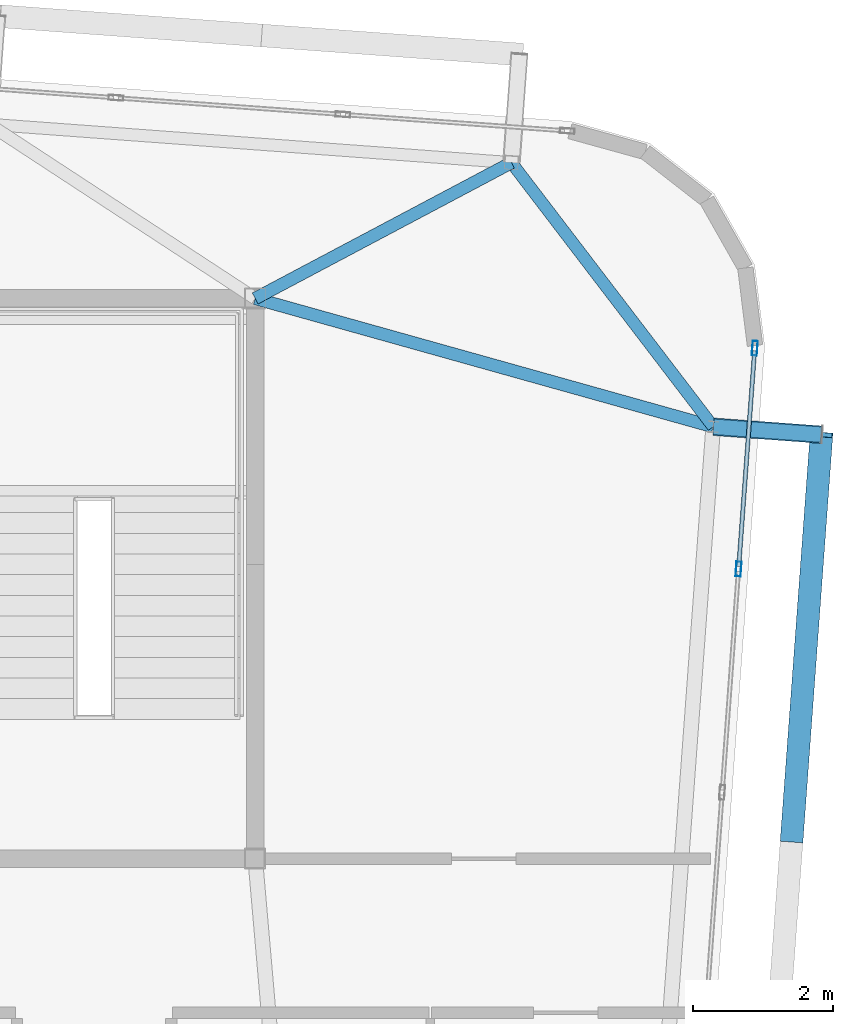
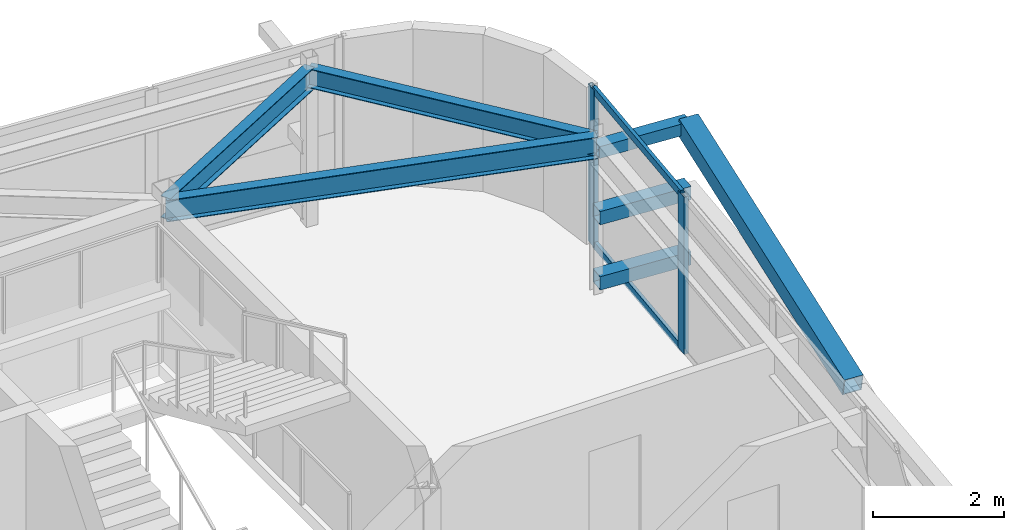
# One storey, part 25 of 42: 8 members, 3 beams, 1 element without a shape of its own.
"""IFC4 building model written with IfcOpenShell, lengths in metres."""

from ifc_helpers import new_model, si_unit, direction, frame, origin, origin_2d, place, context, subcontext, project, spatial, hollow_rectangle, i_section, extrude, source, transform, mapped, material, layer, layer_set, material_profile, profile_set, type_object, element, aggregate, save


model = new_model("IFC4")

# Units and contexts
model_context = context("Model", 3, precision=1e-05, world=origin(), true_north=direction((0.0, 1.0)))
body_context = subcontext(model_context, "Body", "Model", "MODEL_VIEW")
ifc_project = project(units=[si_unit("LENGTHUNIT", "METRE"), si_unit("AREAUNIT", "SQUARE_METRE"), si_unit("VOLUMEUNIT", "CUBIC_METRE"), si_unit("PLANEANGLEUNIT", "RADIAN"), si_unit("MASSUNIT", "GRAM", prefix="KILO")], contexts=[model_context])

# Site, building, storey
site_placement = place(None, origin())
site = spatial("IfcSite", under=ifc_project, at=site_placement, CompositionType="ELEMENT")
building_placement = place(site_placement, origin())
building = spatial("IfcBuilding", under=site, at=building_placement, Name="Taldren Reach Tower", CompositionType="ELEMENT")
storey_placement = place(building_placement, frame((0.0, 0.0, 214.550048828125)))
storey = spatial("IfcBuildingStorey", under=building, at=storey_placement, Name="L65", CompositionType="ELEMENT", Elevation=214.550048828125)

# Beams
ifc_material_1 = material(Name="Steel Gr 350 (350PLUS)", Category="steel")
ifc_material_profile_1 = material_profile(ifc_material_1, i_section(OverallWidth=0.172119140625, OverallDepth=0.35888671875, WebThickness=0.008056640625, FlangeThickness=0.012939453125, at=origin_2d()), Name="360UB56.7")
ifc_profile_set_1 = profile_set([ifc_material_profile_1], Name="Steel Gr 350 (350PLUS)")
beam_type_1 = type_object("IfcBeamType", Name="SP-UB360", PredefinedType="SPANDREL", material=ifc_profile_set_1)
shared_shape_1 = source(origin(), body_context, "Body", "SweptSolid", [
    extrude(i_section(OverallWidth=0.172119140625, OverallDepth=0.35888671875, WebThickness=0.008056640625, FlangeThickness=0.012939453125, at=origin_2d()), origin(), (0.0, 0.0, 1.0), 4.745849609375),
])
beam_1_placement = place(storey_placement, frame((57.540771484375, 30.168701171875, 2.75048828125), z_axis=(-0.607136906115, 0.79459724215, 0.0), x_axis=(-0.79459724215, -0.607136906115, 0.0)))
element("IfcBeam", 1, at=beam_1_placement, inside=storey, type_object=beam_type_1, Name="Perimeter spandrel B5 E3-N6 L65", PredefinedType="SPANDREL", context=body_context, shape_type="MappedRepresentation", body=[
    mapped(shared_shape_1, transform((0.0, 0.0, 0.0), scale=1.0)),
])
ifc_material_profile_2 = material_profile(ifc_material_1, i_section(OverallWidth=0.177978515625, OverallDepth=0.406005859375, WebThickness=0.0078125, FlangeThickness=0.0126953125, at=origin_2d()), Name="410UB59.7")
ifc_profile_set_2 = profile_set([ifc_material_profile_2], Name="Steel Gr 350 (350PLUS)")
beam_type_2 = type_object("IfcBeamType", Name="BM-UB410", PredefinedType="BEAM", material=ifc_profile_set_2)
shared_shape_2 = source(origin(), body_context, "Body", "SweptSolid", [
    extrude(i_section(OverallWidth=0.177978515625, OverallDepth=0.406005859375, WebThickness=0.0078125, FlangeThickness=0.0126953125, at=origin_2d()), origin(), (0.0, 0.0, 1.0), 6.792236328125),
])
beam_2_placement = place(storey_placement, frame((51.0, 32.0, 2.72705078125), z_axis=(0.962968499215, -0.269613926789, 0.0), x_axis=(0.269613926789, 0.962968499215, 0.0)))
element("IfcBeam", 2, at=beam_2_placement, inside=storey, type_object=beam_type_2, Name="Primary floor girder B5-E3 L65", PredefinedType="BEAM", context=body_context, shape_type="MappedRepresentation", body=[
    mapped(shared_shape_2, transform((0.0, 0.0, 0.0), scale=1.0)),
])
shared_shape_3 = source(origin(), body_context, "Body", "SweptSolid", [
    extrude(i_section(OverallWidth=0.177978515625, OverallDepth=0.406005859375, WebThickness=0.0078125, FlangeThickness=0.0126953125, at=origin_2d()), origin(), (0.0, 0.0, 1.0), 4.1416015625),
])
beam_3_placement = place(storey_placement, frame((51.0, 32.0, 2.72705078125), z_axis=(0.883552655042, 0.468331832965, 0.0), x_axis=(-0.468331832965, 0.883552655042, 0.0)))
element("IfcBeam", 3, at=beam_3_placement, inside=storey, type_object=beam_type_2, Name="Primary floor girder B5-N6 L65", PredefinedType="BEAM", context=body_context, shape_type="MappedRepresentation", body=[
    mapped(shared_shape_3, transform((0.0, 0.0, 0.0), scale=1.0)),
])

# Members
ifc_material_2 = material(Name="Steel Gr 450 (C450L0)", Category="steel")
ifc_material_profile_3 = material_profile(ifc_material_2, hollow_rectangle(XDim=0.219970703125, YDim=0.219970703125, WallThickness=0.00830078125, at=origin_2d()), Name="220x220x8.2SHS")
ifc_profile_set_3 = profile_set([ifc_material_profile_3], Name="Steel Gr 450 (C450L0)")
member_type_1 = type_object("IfcMemberType", Name="MB-TIE219", PredefinedType="STRUT", material=ifc_profile_set_3)
shared_shape_4 = source(origin(), body_context, "Body", "SweptSolid", [
    extrude(hollow_rectangle(XDim=0.219970703125, YDim=0.219970703125, WallThickness=0.00830078125, at=origin_2d()), origin(), (0.0, 0.0, 1.0), 1.5458984375),
])
member_1_placement = place(storey_placement, frame((57.544921875, 30.168212890625, 2.64990234375), z_axis=(0.99732305975, -0.073121231459, 0.0), x_axis=(0.073121231459, 0.99732305975, 0.0)))
element("IfcMember", 4, at=member_1_placement, inside=storey, type_object=member_type_1, Name="Exoskeleton diaphragm tie strut B5-E3 L65", PredefinedType="STRUT", context=body_context, shape_type="MappedRepresentation", body=[
    mapped(shared_shape_4, transform((0.0, 0.0, 0.0), scale=1.0)),
])
ifc_material_profile_4 = material_profile(ifc_material_2, hollow_rectangle(XDim=0.324951171875, YDim=0.324951171875, WallThickness=0.0126953125, at=origin_2d()), Name="325x325x12.7SHS")
ifc_profile_set_4 = profile_set([ifc_material_profile_4], Name="Steel Gr 450 (C450L0)")
member_type_2 = type_object("IfcMemberType", Name="MB-BR324", PredefinedType="BRACE", material=ifc_profile_set_4)
shared_shape_5 = source(origin(), body_context, "Body", "SweptSolid", [
    extrude(hollow_rectangle(XDim=0.324951171875, YDim=0.324951171875, WallThickness=0.0126953125, at=origin_2d()), origin(), (0.0, 0.0, 1.0), 5.92578125),
])
member_2_placement = place(storey_placement, frame((58.661865234375, 24.270751953125, 1.43505859375), z_axis=(0.071686540919, 0.976131732187, 0.205007027365), x_axis=(-0.997314185625, 0.073242167855, 0.0)))
element("IfcMember", 5, at=member_2_placement, inside=storey, type_object=member_type_2, Name="Exoskeleton Diagrid Brace B5-E2 L65", PredefinedType="BRACE", context=body_context, shape_type="MappedRepresentation", body=[
    mapped(shared_shape_5, transform((0.0, 0.0, 0.0), scale=1.0)),
])
ifc_material_3 = material(Name="Steel Gr 350 (C350L0)", Category="steel")
ifc_material_profile_5 = material_profile(ifc_material_3, hollow_rectangle(XDim=0.25, YDim=0.25, WallThickness=0.010009765625, at=origin_2d()), Name="250x250x10.0SHS")
ifc_profile_set_5 = profile_set([ifc_material_profile_5], Name="Steel Gr 350 (C350L0)")
member_type_3 = type_object("IfcMemberType", Name="MB-POST250", PredefinedType="POST", material=ifc_profile_set_5)
shared_shape_6 = source(origin(), body_context, "Body", "SweptSolid", [
    extrude(hollow_rectangle(XDim=0.25, YDim=0.25, WallThickness=0.010009765625, at=origin_2d()), origin(), (0.0, 0.0, 1.0), 1.5458984375),
])
for number, where, z_axis, x_axis, name in (
    (6, (57.544921875, 30.168212890625, 0.219970703125), (0.99732305975, -0.073121231459, 0.0), (0.073121231459, 0.99732305975, 0.0), "Exoskeleton base diaphragm tie strut B5-E3 L65"),
    (7, (57.544921875, 30.168212890625, 1.43505859375), (0.99732305975, -0.073121231459, 0.0), (0.073121231459, 0.99732305975, 0.0), "Exoskeleton mid-tier diaphragm tie B5-E3 L65"),
):
    element("IfcMember", number, at=place(storey_placement, frame(where, z_axis=z_axis, x_axis=x_axis)), inside=storey, type_object=member_type_3, Name=name, PredefinedType="POST", context=body_context, shape_type="MappedRepresentation", body=[
        mapped(shared_shape_6, transform((0.0, 0.0, 0.0), scale=1.0)),
    ])

# Curtain wall, members
ifc_material_4 = material(Name="Aluminium and Low-E Glass Unitised System", Category="aluminium")
ifc_layer = layer(ifc_material_4, 0.159912109375)
ifc_layer_set = layer_set([ifc_layer], Name="Aluminium and Low-E Glass Unitised System")
curtain_wall_type = type_object("IfcCurtainWallType", Name="CW-SYS-6", PredefinedType="NOTDEFINED", material=ifc_layer_set)
curtain_wall_placement = place(storey_placement, origin())
curtain_wall = element("IfcCurtainWall", 8, at=curtain_wall_placement, inside=storey, type_object=curtain_wall_type, Name="Unitised curtain wall CW-L65-E", PredefinedType="NOTDEFINED")
ifc_material_5 = material(Name="Anodised Aluminium 6063-T6", Category="aluminium")
ifc_material_profile_6 = material_profile(ifc_material_5, hollow_rectangle(XDim=0.074951171875, YDim=0.2099609375, WallThickness=0.00439453125, at=origin_2d()), Name="ALU-210x75x4.5RHS")
ifc_profile_set_6 = profile_set([ifc_material_profile_6], Name="Anodised Aluminium 6063-T6")
member_type_4 = type_object("IfcMemberType", Name="CW-MUL-200", PredefinedType="MULLION", material=ifc_profile_set_6)
shared_shape_7 = source(origin(), body_context, "Body", "SweptSolid", [
    extrude(hollow_rectangle(XDim=0.074951171875, YDim=0.2099609375, WallThickness=0.00439453125, at=origin_2d()), origin(), (0.0, 0.0, 1.0), 2.929931640625),
])
member_3_placement = place(storey_placement, frame((57.903076171875, 28.13671875, 0.0), z_axis=(0.0, 0.0, 1.0), x_axis=(-0.997314470951, 0.073238282558, 0.0)))
member_3 = element("IfcMember", 9, at=member_3_placement, type_object=member_type_4, Name="CW-6 mullion 8", PredefinedType="MULLION", context=body_context, shape_type="MappedRepresentation", body=[
    mapped(shared_shape_7, transform((0.0, 0.0, 0.0), scale=1.0)),
])
member_4_placement = place(storey_placement, frame((58.134765625, 31.29052734375, 0.0), z_axis=(0.0, 0.0, 1.0), x_axis=(-0.997314470951, 0.073238282558, 0.0)))
member_4 = element("IfcMember", 10, at=member_4_placement, type_object=member_type_4, Name="CW-6 mullion 9", PredefinedType="MULLION", context=body_context, shape_type="MappedRepresentation", body=[
    mapped(shared_shape_7, transform((0.0, 0.0, 0.0), scale=1.0)),
])
ifc_material_profile_7 = material_profile(ifc_material_5, hollow_rectangle(XDim=0.06005859375, YDim=0.135009765625, WallThickness=0.00341796875, at=origin_2d()), Name="ALU-135x60x3.5RHS")
ifc_profile_set_7 = profile_set([ifc_material_profile_7], Name="Anodised Aluminium 6063-T6")
member_type_5 = type_object("IfcMemberType", Name="CW-TRN-150", PredefinedType="USERDEFINED", material=ifc_profile_set_7)
shared_shape_8 = source(origin(), body_context, "Body", "SweptSolid", [
    extrude(hollow_rectangle(XDim=0.06005859375, YDim=0.135009765625, WallThickness=0.00341796875, at=origin_2d()), origin(), (0.0, 0.0, 1.0), 3.08740234375),
])
member_5_placement = place(storey_placement, frame((57.90576171875, 28.174072265625, 0.030029296875), z_axis=(0.073225031802, 0.997315443938, 0.0), x_axis=(-0.997315443938, 0.073225031802, 0.0)))
member_5 = element("IfcMember", 11, at=member_5_placement, type_object=member_type_5, Name="CW-6 transom 8.1", ObjectType="TRANSOM", PredefinedType="USERDEFINED", context=body_context, shape_type="MappedRepresentation", body=[
    mapped(shared_shape_8, transform((0.0, 0.0, 0.0), scale=1.0)),
])
member_6_placement = place(storey_placement, frame((57.90576171875, 28.174072265625, 2.89990234375), z_axis=(0.073225031802, 0.997315443938, 0.0), x_axis=(-0.997315443938, 0.073225031802, 0.0)))
member_6 = element("IfcMember", 12, at=member_6_placement, type_object=member_type_5, Name="CW-6 transom 8.2", ObjectType="TRANSOM", PredefinedType="USERDEFINED", context=body_context, shape_type="MappedRepresentation", body=[
    mapped(shared_shape_8, transform((0.0, 0.0, 0.0), scale=1.0)),
])
aggregate(curtain_wall, [member_3, member_4, member_5, member_6])

save(model, "model.ifc")
